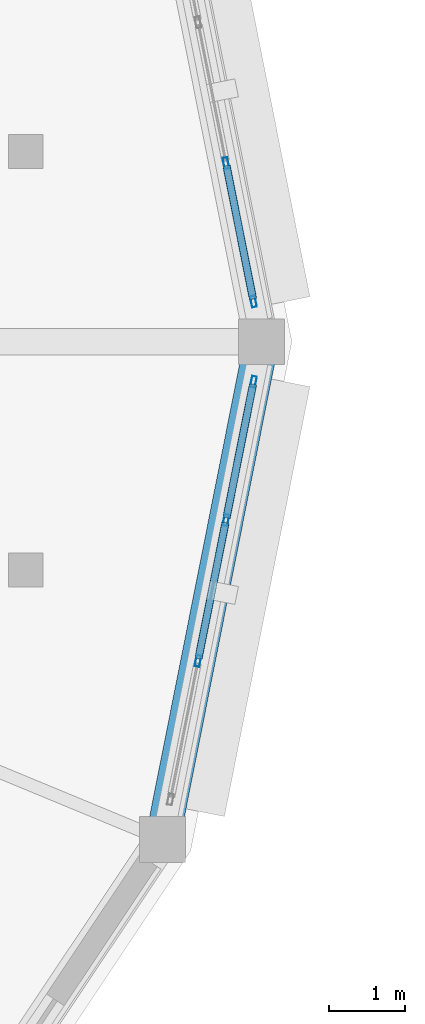
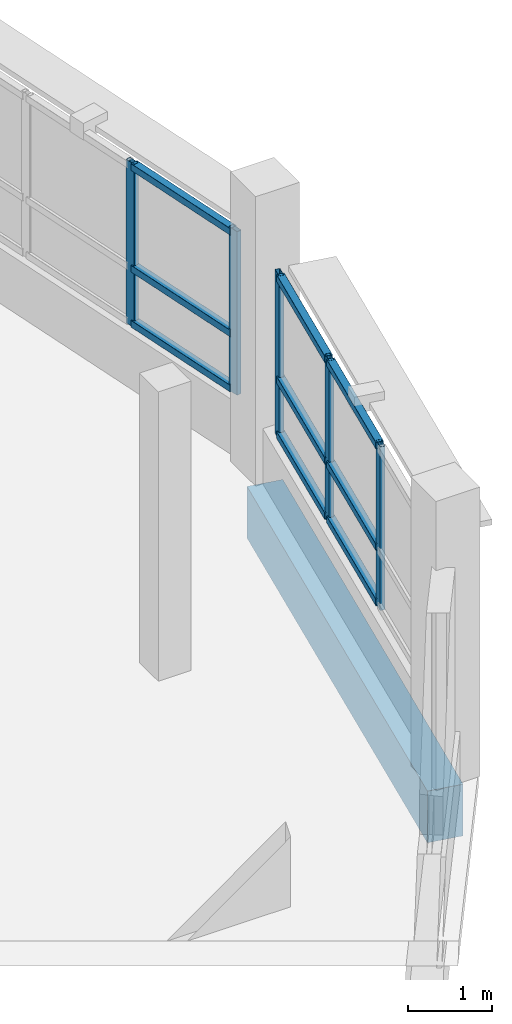
# One storey, part 84 of 128: 14 members, 1 beam, 2 elements without a shape of their own.
"""IFC4 building model written with IfcOpenShell, lengths in metres."""

from ifc_helpers import new_model, si_unit, direction, frame, origin, origin_2d, place, context, subcontext, project, spatial, rectangle, hollow_rectangle, extrude, material, layer, layer_set, material_profile, profile_set, type_object, element, aggregate, save


model = new_model("IFC4")

# Units and contexts
model_context = context("Model", 3, precision=1e-05, world=origin(), true_north=direction((0.0, 1.0)))
body_context = subcontext(model_context, "Body", "Model", "MODEL_VIEW")
ifc_project = project(units=[si_unit("LENGTHUNIT", "METRE"), si_unit("AREAUNIT", "SQUARE_METRE"), si_unit("VOLUMEUNIT", "CUBIC_METRE"), si_unit("PLANEANGLEUNIT", "RADIAN"), si_unit("MASSUNIT", "GRAM", prefix="KILO")], contexts=[model_context])

# Site, building, storey
site_placement = place(None, origin())
site = spatial("IfcSite", under=ifc_project, at=site_placement, CompositionType="ELEMENT")
building_placement = place(site_placement, origin())
building = spatial("IfcBuilding", under=site, at=building_placement, Name="Vespera Passage Community Centre", CompositionType="ELEMENT")
storey_placement = place(building_placement, frame((0.0, 0.0, 4.5)))
storey = spatial("IfcBuildingStorey", under=building, at=storey_placement, Name="L01", CompositionType="ELEMENT", Elevation=4.5)

# Beam
ifc_material_1 = material(Name="Concrete f'c 35 MPa", Category="concrete")
ifc_material_profile_1 = material_profile(ifc_material_1, rectangle(XDim=0.449951171875, YDim=0.75, at=origin_2d()), Name="RC450X750")
ifc_profile_set_1 = profile_set([ifc_material_profile_1], Name="Concrete f'c 35 MPa")
beam_type = type_object("IfcBeamType", Name="BM-SP-450X750E", PredefinedType="SPANDREL", material=ifc_profile_set_1)
beam_placement = place(storey_placement, frame((156.79833984375, 18.4560546875, -0.614990234375), z_axis=(0.195102743632, 0.980782809509, 0.0), x_axis=(-0.980782809509, 0.195102743632, 0.0)))
element("IfcBeam", 1, at=beam_placement, inside=storey, type_object=beam_type, Name="V3 L01 Spandrel 16", PredefinedType="SPANDREL", context=body_context, shape_type="SweptSolid", body=[
    extrude(rectangle(XDim=0.449951171875, YDim=0.75, at=origin_2d()), origin(), (0.0, 0.0, 1.0), 6.672119140625),
])

# Curtain wall, members
ifc_material_2 = material(Name="Anodized aluminium 6063-T6", Category="aluminium")
ifc_layer = layer(ifc_material_2, 0.159912109375)
ifc_layer_set = layer_set([ifc_layer], Name="Anodized aluminium 6063-T6")
curtain_wall_type = type_object("IfcCurtainWallType", Name="CW-105E", PredefinedType="NOTDEFINED", material=ifc_layer_set)
curtain_wall_1_placement = place(storey_placement, origin())
curtain_wall_1 = element("IfcCurtainWall", 2, at=curtain_wall_1_placement, inside=storey, type_object=curtain_wall_type, Name="Dining Drum Ribbon Curtain Wall L01.1", PredefinedType="NOTDEFINED")
ifc_material_3 = material(Name="Anodized aluminium 6063-T6", Category="aluminium")
ifc_material_profile_2 = material_profile(ifc_material_3, hollow_rectangle(XDim=0.06494140625, YDim=0.14990234375, WallThickness=0.00390625, InnerFilletRadius=0.001953125, OuterFilletRadius=0.00390625, at=origin_2d()), Name="ALU150X65X4")
ifc_profile_set_2 = profile_set([ifc_material_profile_2], Name="Anodized aluminium 6063-T6")
member_type_1 = type_object("IfcMemberType", Name="MB-CWM-150E", PredefinedType="MULLION", material=ifc_profile_set_2)
member_1_placement = place(storey_placement, frame((157.63330078125, 27.3466796875, 0.800048828125), z_axis=(0.0, 0.0, 1.0), x_axis=(0.980783996069, 0.195096778691, 0.0)))
member_1 = element("IfcMember", 3, at=member_1_placement, type_object=member_type_1, Name="CW-105E mullion 3", PredefinedType="MULLION", context=body_context, shape_type="SweptSolid", body=[
    extrude(hollow_rectangle(XDim=0.06494140625, YDim=0.14990234375, WallThickness=0.00390625, InnerFilletRadius=0.001953125, OuterFilletRadius=0.00390625, at=origin_2d()), origin(), (0.0, 0.0, 1.0), 2.375),
])
member_2_placement = place(storey_placement, frame((157.994873046875, 25.528076171875, 0.800048828125), z_axis=(0.0, 0.0, 1.0), x_axis=(0.980783996069, 0.195096778691, 0.0)))
member_2 = element("IfcMember", 4, at=member_2_placement, type_object=member_type_1, Name="CW-105E mullion 4", PredefinedType="MULLION", context=body_context, shape_type="SweptSolid", body=[
    extrude(hollow_rectangle(XDim=0.06494140625, YDim=0.14990234375, WallThickness=0.00390625, InnerFilletRadius=0.001953125, OuterFilletRadius=0.00390625, at=origin_2d()), origin(), (0.0, 0.0, 1.0), 2.375),
])

curtain_wall_2_placement = place(storey_placement, origin())
curtain_wall_2 = element("IfcCurtainWall", 5, at=curtain_wall_2_placement, inside=storey, type_object=curtain_wall_type, Name="Dining Drum Ribbon Curtain Wall L01.16", PredefinedType="NOTDEFINED")
member_3_placement = place(storey_placement, frame((157.994873046875, 24.471923828125, 0.800048828125), z_axis=(0.0, 0.0, 1.0), x_axis=(0.980783996069, -0.195096778691, 0.0)))
member_3 = element("IfcMember", 6, at=member_3_placement, type_object=member_type_1, Name="CW-105E mullion 1", PredefinedType="MULLION", context=body_context, shape_type="SweptSolid", body=[
    extrude(hollow_rectangle(XDim=0.06494140625, YDim=0.14990234375, WallThickness=0.00390625, InnerFilletRadius=0.001953125, OuterFilletRadius=0.00390625, at=origin_2d()), origin(), (0.0, 0.0, 1.0), 2.375),
])
member_4_placement = place(storey_placement, frame((157.63330078125, 22.6533203125, 0.800048828125), z_axis=(0.0, 0.0, 1.0), x_axis=(0.980783996069, -0.195096778691, 0.0)))
member_4 = element("IfcMember", 7, at=member_4_placement, type_object=member_type_1, Name="CW-105E mullion 2", PredefinedType="MULLION", context=body_context, shape_type="SweptSolid", body=[
    extrude(hollow_rectangle(XDim=0.06494140625, YDim=0.14990234375, WallThickness=0.00390625, InnerFilletRadius=0.001953125, OuterFilletRadius=0.00390625, at=origin_2d()), origin(), (0.0, 0.0, 1.0), 2.375),
])
member_5_placement = place(storey_placement, frame((157.26513671875, 20.802734375, 0.800048828125), z_axis=(0.0, 0.0, 1.0), x_axis=(0.980783996069, -0.195096778691, 0.0)))
member_5 = element("IfcMember", 8, at=member_5_placement, type_object=member_type_1, Name="CW-105E mullion 3", PredefinedType="MULLION", context=body_context, shape_type="SweptSolid", body=[
    extrude(hollow_rectangle(XDim=0.06494140625, YDim=0.14990234375, WallThickness=0.00390625, InnerFilletRadius=0.001953125, OuterFilletRadius=0.00390625, at=origin_2d()), origin(), (0.0, 0.0, 1.0), 2.375),
])

# Member
ifc_material_4 = material(Name="Anodized aluminium 6063-T6", Category="aluminium")
ifc_material_profile_3 = material_profile(ifc_material_4, hollow_rectangle(XDim=0.10009765625, YDim=0.10009765625, WallThickness=0.00390625, InnerFilletRadius=0.001953125, OuterFilletRadius=0.00390625, at=origin_2d()), Name="ALU100X100X4")
ifc_profile_set_3 = profile_set([ifc_material_profile_3], Name="Anodized aluminium 6063-T6")
member_type_2 = type_object("IfcMemberType", Name="MB-CWT-100E", PredefinedType="USERDEFINED", material=ifc_profile_set_3)
member_6_placement = place(storey_placement, frame((157.6396484375, 27.31494140625, 0.85009765625), z_axis=(0.194987665203, -0.980805694528, 0.0), x_axis=(0.980805694528, 0.194987665203, 0.0)))
member_6 = element("IfcMember", 9, at=member_6_placement, type_object=member_type_2, Name="CW-105E transom 3.1", ObjectType="TRANSOM", PredefinedType="USERDEFINED", context=body_context, shape_type="SweptSolid", body=[
    extrude(hollow_rectangle(XDim=0.10009765625, YDim=0.10009765625, WallThickness=0.00390625, InnerFilletRadius=0.001953125, OuterFilletRadius=0.00390625, at=origin_2d()), origin(), (0.0, 0.0, 1.0), 1.789306640625),
])

member_7_placement = place(storey_placement, frame((157.6396484375, 27.31494140625, 1.64990234375), z_axis=(0.194987665203, -0.980805694528, 0.0), x_axis=(0.980805694528, 0.194987665203, 0.0)))
member_7 = element("IfcMember", 10, at=member_7_placement, type_object=member_type_2, Name="CW-105E transom 3.2", ObjectType="TRANSOM", PredefinedType="USERDEFINED", context=body_context, shape_type="SweptSolid", body=[
    extrude(hollow_rectangle(XDim=0.10009765625, YDim=0.10009765625, WallThickness=0.00390625, InnerFilletRadius=0.001953125, OuterFilletRadius=0.00390625, at=origin_2d()), origin(), (0.0, 0.0, 1.0), 1.789306640625),
])

member_8_placement = place(storey_placement, frame((157.6396484375, 27.31494140625, 3.125), z_axis=(0.194987665203, -0.980805694528, 0.0), x_axis=(0.980805694528, 0.194987665203, 0.0)))
member_8 = element("IfcMember", 11, at=member_8_placement, type_object=member_type_2, Name="CW-105E transom 3.3", ObjectType="TRANSOM", PredefinedType="USERDEFINED", context=body_context, shape_type="SweptSolid", body=[
    extrude(hollow_rectangle(XDim=0.10009765625, YDim=0.10009765625, WallThickness=0.00390625, InnerFilletRadius=0.001953125, OuterFilletRadius=0.00390625, at=origin_2d()), origin(), (0.0, 0.0, 1.0), 1.789306640625),
])

aggregate(curtain_wall_1, [member_1, member_2, member_6, member_7, member_8])

member_9_placement = place(storey_placement, frame((157.988525390625, 24.43994140625, 0.85009765625), z_axis=(-0.194987665203, -0.980805694528, 0.0), x_axis=(0.980805694528, -0.194987665203, 0.0)))
member_9 = element("IfcMember", 12, at=member_9_placement, type_object=member_type_2, Name="CW-105E transom 1.1", ObjectType="TRANSOM", PredefinedType="USERDEFINED", context=body_context, shape_type="SweptSolid", body=[
    extrude(hollow_rectangle(XDim=0.10009765625, YDim=0.10009765625, WallThickness=0.00390625, InnerFilletRadius=0.001953125, OuterFilletRadius=0.00390625, at=origin_2d()), origin(), (0.0, 0.0, 1.0), 1.789306640625),
])

member_10_placement = place(storey_placement, frame((157.988525390625, 24.43994140625, 1.64990234375), z_axis=(-0.194987665203, -0.980805694528, 0.0), x_axis=(0.980805694528, -0.194987665203, 0.0)))
member_10 = element("IfcMember", 13, at=member_10_placement, type_object=member_type_2, Name="CW-105E transom 1.2", ObjectType="TRANSOM", PredefinedType="USERDEFINED", context=body_context, shape_type="SweptSolid", body=[
    extrude(hollow_rectangle(XDim=0.10009765625, YDim=0.10009765625, WallThickness=0.00390625, InnerFilletRadius=0.001953125, OuterFilletRadius=0.00390625, at=origin_2d()), origin(), (0.0, 0.0, 1.0), 1.789306640625),
])

member_11_placement = place(storey_placement, frame((157.988525390625, 24.43994140625, 3.125), z_axis=(-0.194987665203, -0.980805694528, 0.0), x_axis=(0.980805694528, -0.194987665203, 0.0)))
member_11 = element("IfcMember", 14, at=member_11_placement, type_object=member_type_2, Name="CW-105E transom 1.3", ObjectType="TRANSOM", PredefinedType="USERDEFINED", context=body_context, shape_type="SweptSolid", body=[
    extrude(hollow_rectangle(XDim=0.10009765625, YDim=0.10009765625, WallThickness=0.00390625, InnerFilletRadius=0.001953125, OuterFilletRadius=0.00390625, at=origin_2d()), origin(), (0.0, 0.0, 1.0), 1.789306640625),
])

member_12_placement = place(storey_placement, frame((157.626953125, 22.621337890625, 0.85009765625), z_axis=(-0.195136642714, -0.980776065507, 0.0), x_axis=(0.980776065507, -0.195136642714, 0.0)))
member_12 = element("IfcMember", 15, at=member_12_placement, type_object=member_type_2, Name="CW-105E transom 2.1", ObjectType="TRANSOM", PredefinedType="USERDEFINED", context=body_context, shape_type="SweptSolid", body=[
    extrude(hollow_rectangle(XDim=0.10009765625, YDim=0.10009765625, WallThickness=0.00390625, InnerFilletRadius=0.001953125, OuterFilletRadius=0.00390625, at=origin_2d()), origin(), (0.0, 0.0, 1.0), 1.821533203125),
])

member_13_placement = place(storey_placement, frame((157.626953125, 22.621337890625, 1.64990234375), z_axis=(-0.195136642714, -0.980776065507, 0.0), x_axis=(0.980776065507, -0.195136642714, 0.0)))
member_13 = element("IfcMember", 16, at=member_13_placement, type_object=member_type_2, Name="CW-105E transom 2.2", ObjectType="TRANSOM", PredefinedType="USERDEFINED", context=body_context, shape_type="SweptSolid", body=[
    extrude(hollow_rectangle(XDim=0.10009765625, YDim=0.10009765625, WallThickness=0.00390625, InnerFilletRadius=0.001953125, OuterFilletRadius=0.00390625, at=origin_2d()), origin(), (0.0, 0.0, 1.0), 1.821533203125),
])

member_14_placement = place(storey_placement, frame((157.626953125, 22.621337890625, 3.125), z_axis=(-0.195136642714, -0.980776065507, 0.0), x_axis=(0.980776065507, -0.195136642714, 0.0)))
member_14 = element("IfcMember", 17, at=member_14_placement, type_object=member_type_2, Name="CW-105E transom 2.3", ObjectType="TRANSOM", PredefinedType="USERDEFINED", context=body_context, shape_type="SweptSolid", body=[
    extrude(hollow_rectangle(XDim=0.10009765625, YDim=0.10009765625, WallThickness=0.00390625, InnerFilletRadius=0.001953125, OuterFilletRadius=0.00390625, at=origin_2d()), origin(), (0.0, 0.0, 1.0), 1.821533203125),
])

aggregate(curtain_wall_2, [member_3, member_4, member_5, member_9, member_10, member_11, member_12, member_13, member_14])

save(model, "model.ifc")
